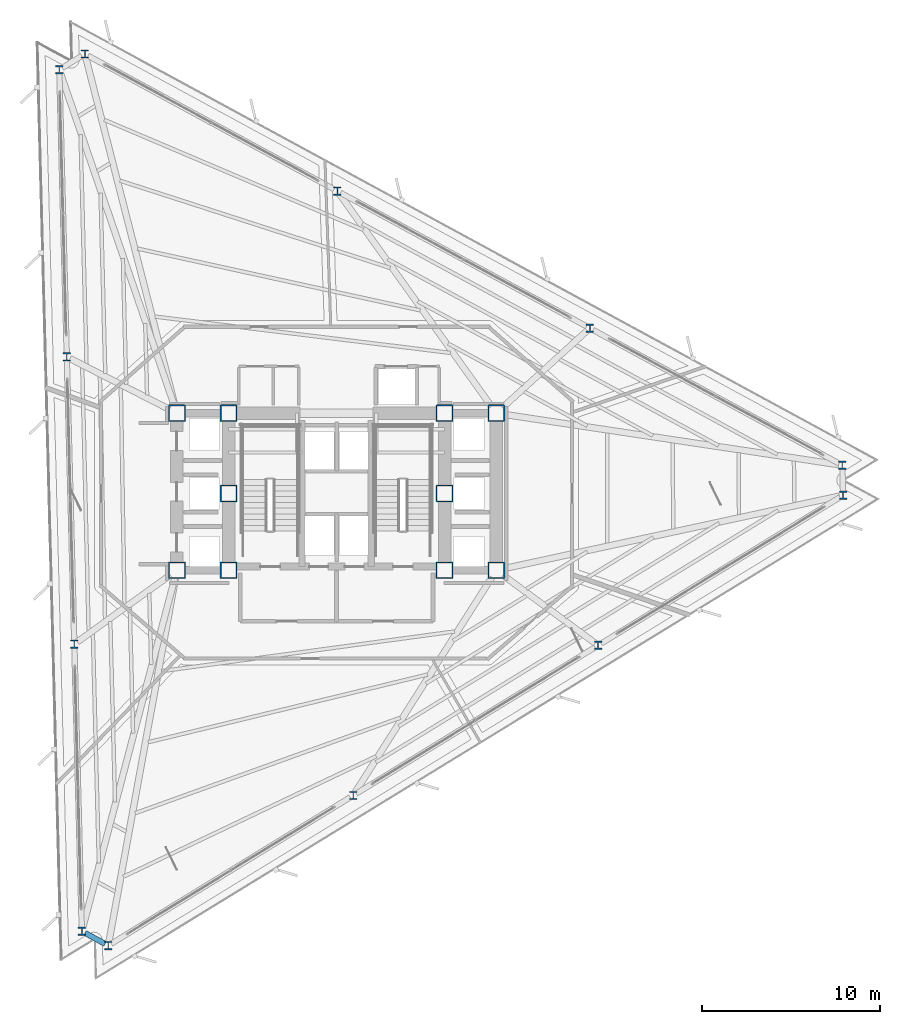
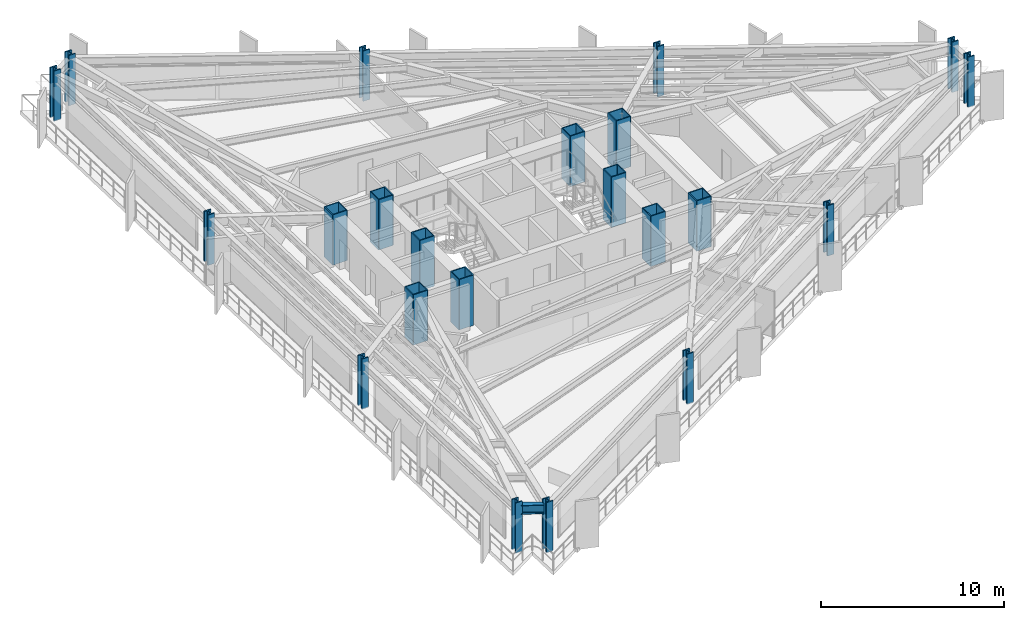
# One storey, part 1 of 14: 22 columns, 1 beam.
"""IFC4 building model written with IfcOpenShell, lengths in metres."""

import ifcopenshell
import ifcopenshell.guid

model = None  # the IFC model being written
_history = None  # IfcOwnerHistory: only IFC2X3 demands one
_inside = {}  # id of a spatial element -> (the spatial element, [elements in it])
_under = {}  # id of a project, library or spatial element -> (it, [spatial elements below it])
_declared = {}  # id of a project -> (the project, [libraries it declares])
_typed = {}  # id of a type object -> (the type object, [elements of that type])
_made_of = {}  # id of a material, layer set ... -> (it, [elements and type objects made of it])


def new_model(schema):
    """Start an empty IFC model of exactly this schema.

    Asked for "IFC4X3", IfcOpenShell would pick the latest addendum, in which some entities
    have other attributes; the version numbers below select the first issue.
    IFC2X3 requires an IfcOwnerHistory on every rooted entity: one is made here for all.
    """
    global model, _history
    if schema == "IFC4X3":
        model = ifcopenshell.file(schema_version=(4, 3, 0, 0))
    else:
        model = ifcopenshell.file(schema=schema)
    _inside.clear()
    _under.clear()
    _declared.clear()
    _typed.clear()
    _made_of.clear()
    _history = None
    if model.schema == "IFC2X3":
        org = make("IfcOrganization", Name="unknown")
        user = make(
            "IfcPersonAndOrganization",
            ThePerson=make("IfcPerson", FamilyName="unknown"),
            TheOrganization=org,
        )
        app = make(
            "IfcApplication",
            ApplicationDeveloper=org,
            Version="unknown",
            ApplicationFullName="unknown",
            ApplicationIdentifier="unknown",
        )
        _history = make(
            "IfcOwnerHistory",
            OwningUser=user,
            OwningApplication=app,
            ChangeAction="ADDED",
            CreationDate=0,
        )
    return model


def make(cls, **values):
    """One entity of the class cls with the attributes given. An attribute that is None is left unset."""
    return model.create_entity(
        cls, **{name: value for name, value in values.items() if value is not None}
    )


def rooted(cls, **values):
    """An entity with a GlobalId (a new one), such as an element, a storey or a relation."""
    return make(cls, GlobalId=ifcopenshell.guid.new(), OwnerHistory=_history, **values)


def si_unit(unit_type, name, prefix=None):
    """IfcSIUnit, for example si_unit("LENGTHUNIT", "METRE", prefix="MILLI")."""
    return make("IfcSIUnit", UnitType=unit_type, Prefix=prefix, Name=name)


def assignment(units):
    """IfcUnitAssignment: the units of a project."""
    return None if units is None else make("IfcUnitAssignment", Units=units)


def point(xyz):
    """IfcCartesianPoint."""
    return None if xyz is None else make("IfcCartesianPoint", Coordinates=xyz)


def direction(xyz):
    """IfcDirection."""
    return None if xyz is None else make("IfcDirection", DirectionRatios=xyz)


def frame(location, z_axis=None, x_axis=None):
    """IfcAxis2Placement3D, a coordinate frame: its origin and axes. An axis left out is left unset."""
    return make(
        "IfcAxis2Placement3D",
        Location=point(location),
        Axis=direction(z_axis),
        RefDirection=direction(x_axis),
    )


def frame_2d(location, x_axis=None):
    """IfcAxis2Placement2D, a coordinate frame in the plane: its origin and x axis."""
    return make(
        "IfcAxis2Placement2D", Location=point(location), RefDirection=direction(x_axis)
    )


def origin():
    """The frame at (0, 0, 0) with its axes left unset."""
    return frame((0.0, 0.0, 0.0))


def origin_2d():
    """The frame at (0, 0) in the plane with its x axis left unset."""
    return frame_2d((0.0, 0.0))


def place(relative_to, where):
    """IfcLocalPlacement: puts the frame where relative to a parent placement (None: the world)."""
    return make(
        "IfcLocalPlacement", PlacementRelTo=relative_to, RelativePlacement=where
    )


def context(
    kind, dimensions, precision=None, world=None, true_north=None, identifier=None
):
    """IfcGeometricRepresentationContext, for example the 3D "Model" context."""
    return make(
        "IfcGeometricRepresentationContext",
        ContextIdentifier=identifier,
        ContextType=kind,
        CoordinateSpaceDimension=dimensions,
        Precision=precision,
        WorldCoordinateSystem=world,
        TrueNorth=true_north,
    )


def subcontext(parent, identifier, kind, view, scale=None):
    """IfcGeometricRepresentationSubContext, for example "Body" below "Model"."""
    return make(
        "IfcGeometricRepresentationSubContext",
        ContextIdentifier=identifier,
        ContextType=kind,
        ParentContext=parent,
        TargetScale=scale,
        TargetView=view,
    )


def project(units=None, contexts=None):
    """IfcProject with its units and contexts."""
    return rooted(
        "IfcProject",
        Name="project",
        RepresentationContexts=contexts,
        UnitsInContext=assignment(units),
    )


def spatial(cls, under=None, at=None, **own):
    """A site, building, storey or space (cls), placed at a placement, below another one or the project."""
    s = rooted(cls, ObjectPlacement=at, **own)
    if under is not None:
        _under.setdefault(under.id(), (under, []))[1].append(s)
    return s


def profile(cls, at=None, kind="AREA", **sizes):
    """A parametric profile (cls). Its sizes go by their IFC names, for example OverallWidth=200.0."""
    return make(cls, ProfileType=kind, Position=at, **sizes)


def hollow_rectangle(**sizes):
    """IfcRectangleHollowProfileDef."""
    return profile("IfcRectangleHollowProfileDef", **sizes)


def i_section(**sizes):
    """IfcIShapeProfileDef."""
    return profile("IfcIShapeProfileDef", **sizes)


def extrude(swept, where, along, depth):
    """IfcExtrudedAreaSolid: the profile swept, set in the frame where, extruded along a direction by depth."""
    return make(
        "IfcExtrudedAreaSolid",
        SweptArea=swept,
        Position=where,
        ExtrudedDirection=direction(along),
        Depth=depth,
    )


def shape(context_of_items, identifier, shape_type, items):
    """IfcShapeRepresentation: the items that make up one representation, for example the "Body"."""
    return make(
        "IfcShapeRepresentation",
        ContextOfItems=context_of_items,
        RepresentationIdentifier=identifier,
        RepresentationType=shape_type,
        Items=items,
    )


def material(Name=None, Category=None):
    """IfcMaterial."""
    return make("IfcMaterial", Name=Name, Category=Category)


def material_profile(
    of_material, cross_section, Name=None, Category=None, Priority=None
):
    """IfcMaterialProfile: a cross section and its material."""
    return make(
        "IfcMaterialProfile",
        Name=Name,
        Material=of_material,
        Profile=cross_section,
        Priority=Priority,
        Category=Category,
    )


def profile_set(profiles, Name=None, composite=None):
    """IfcMaterialProfileSet."""
    return make(
        "IfcMaterialProfileSet",
        Name=Name,
        MaterialProfiles=profiles,
        CompositeProfile=composite,
    )


def made_of(thing, what):
    """Note that an element or type object is made of a material, layer set ...; save() writes the relation."""
    if what is not None:
        _made_of.setdefault(what.id(), (what, []))[1].append(thing)
    return thing


def type_object(cls, material=None, **own):
    """A type object (cls), such as IfcWallType, which elements share."""
    return made_of(rooted(cls, **own), material)


def element(
    cls,
    number,
    at=None,
    inside=None,
    cuts=None,
    type_object=None,
    material=None,
    context=None,
    identifier="Body",
    shape_type=None,
    held_by="IfcProductDefinitionShape",
    body=None,
    shapes=None,
    **own,
):
    """One element of the class cls, such as IfcWall. Its Tag is "e" and its number.

    at: its placement. inside: the storey or other place that contains it. cuts: it is an
    opening in that element (IfcRelVoidsElement). A single representation is given by context,
    identifier, shape_type and body (its items); several are given by shapes. held_by: the class
    of the entity that holds the representations. save() writes the other relations.
    """
    e = rooted(cls, Tag="e%d" % number, ObjectPlacement=at, **own)
    if body is not None:
        shapes = [shape(context, identifier, shape_type, body)]
    if shapes is not None:
        e.Representation = make(held_by, Representations=shapes)
    if inside is not None:
        _inside.setdefault(inside.id(), (inside, []))[1].append(e)
    if cuts is not None:
        rooted(
            "IfcRelVoidsElement", RelatingBuildingElement=cuts, RelatedOpeningElement=e
        )
    if type_object is not None:
        _typed.setdefault(type_object.id(), (type_object, []))[1].append(e)
    return made_of(e, material)


def aggregate(whole, parts):
    """IfcRelAggregates: a whole, such as a stair, and the parts it consists of."""
    return rooted("IfcRelAggregates", RelatingObject=whole, RelatedObjects=parts)


def save(model, path):
    """Write the relations noted so far, then the file.

    IfcRelAggregates (storeys below a building ...), IfcRelContainedInSpatialStructure (elements
    in a storey), IfcRelDefinesByType, IfcRelAssociatesMaterial and IfcRelDeclares: one each for
    every whole, place, type object, material and project.
    """
    for whole, parts in _under.values():
        aggregate(whole, parts)
    for where, things in _inside.values():
        rooted(
            "IfcRelContainedInSpatialStructure",
            RelatedElements=things,
            RelatingStructure=where,
        )
    for kind, things in _typed.values():
        rooted("IfcRelDefinesByType", RelatedObjects=things, RelatingType=kind)
    for what, things in _made_of.values():
        rooted("IfcRelAssociatesMaterial", RelatedObjects=things, RelatingMaterial=what)
    for by, libraries in _declared.values():
        rooted("IfcRelDeclares", RelatingContext=by, RelatedDefinitions=libraries)
    model.write(path)


model = new_model("IFC4")

# Units and contexts
model_context = context("Model", 3, precision=1e-05, world=origin(), true_north=direction((0.0, 1.0)))
body_context = subcontext(model_context, "Body", "Model", "MODEL_VIEW")
ifc_project = project(units=[si_unit("LENGTHUNIT", "METRE"), si_unit("AREAUNIT", "SQUARE_METRE"), si_unit("VOLUMEUNIT", "CUBIC_METRE"), si_unit("PLANEANGLEUNIT", "RADIAN"), si_unit("MASSUNIT", "GRAM", prefix="KILO")], contexts=[model_context])

# Site, building, storey
site_placement = place(None, origin())
site = spatial("IfcSite", under=ifc_project, at=site_placement, CompositionType="ELEMENT")
building_placement = place(site_placement, origin())
building = spatial("IfcBuilding", under=site, at=building_placement, Name="Rocaltana Carrier Exchange", CompositionType="ELEMENT")
storey_placement = place(building_placement, frame((0.0, 0.0, 39.0400390625)))
storey = spatial("IfcBuildingStorey", under=building, at=storey_placement, Name="L12", CompositionType="ELEMENT", Elevation=39.0400390625)

# Columns
ifc_material_1 = material(Name="Steel S460", Category="steel")
ifc_material_profile_1 = material_profile(ifc_material_1, hollow_rectangle(XDim=0.949951171875, YDim=0.949951171875, WallThickness=0.06005859375, InnerFilletRadius=0.02001953125, OuterFilletRadius=0.0400390625, at=origin_2d()), Name="BOX950X950X60")
ifc_profile_set_1 = profile_set([ifc_material_profile_1], Name="Steel S460")
column_type_1 = type_object("IfcColumnType", Name="Core Mega-Column BOX950", PredefinedType="COLUMN", material=ifc_profile_set_1)
for number, where, z_axis, x_axis, name in (
    (1, (-6.050048828125, 4.5, 0.0), (0.0, 0.0, 1.0), (1.0, 0.0, 0.0), "L12 Core Mega-Column MC1"),
    (2, (6.050048828125, 4.5, 0.0), (0.0, 0.0, 1.0), (1.0, 0.0, 0.0), "L12 Core Mega-Column MC2"),
    (3, (-6.050048828125, 0.0, 0.0), (0.0, 0.0, 1.0), (1.0, 0.0, 0.0), "L12 Core Mega-Column MC3"),
    (4, (6.050048828125, 0.0, 0.0), (0.0, 0.0, 1.0), (1.0, 0.0, 0.0), "L12 Core Mega-Column MC4"),
    (5, (-6.050048828125, -4.300048828125, 0.0), (0.0, 0.0, 1.0), (1.0, 0.0, 0.0), "L12 Core Mega-Column MC5"),
    (6, (6.050048828125, -4.300048828125, 0.0), (0.0, 0.0, 1.0), (1.0, 0.0, 0.0), "L12 Core Mega-Column MC6"),
    (7, (-8.949951171875, 4.5, 0.0), (0.0, 0.0, 1.0), (1.0, 0.0, 0.0), "L12 West Core Column WC1"),
    (8, (-8.949951171875, -4.300048828125, 0.0), (0.0, 0.0, 1.0), (1.0, 0.0, 0.0), "L12 West Core Column WC2"),
    (9, (8.949951171875, 4.5, 0.0), (0.0, 0.0, 1.0), (1.0, 0.0, 0.0), "L12 East Core Column EC1"),
    (10, (8.949951171875, -4.300048828125, 0.0), (0.0, 0.0, 1.0), (1.0, 0.0, 0.0), "L12 East Core Column EC2"),
):
    element("IfcColumn", number, at=place(storey_placement, frame(where, z_axis=z_axis, x_axis=x_axis)), inside=storey, type_object=column_type_1, Name=name, PredefinedType="COLUMN", context=body_context, shape_type="SweptSolid", body=[
        extrude(hollow_rectangle(XDim=0.949951171875, YDim=0.949951171875, WallThickness=0.06005859375, InnerFilletRadius=0.02001953125, OuterFilletRadius=0.0400390625, at=origin_2d()), origin(), (0.0, 0.0, 1.0), 3.35986328125),
    ])
ifc_material_2 = material(Name="Steel S460", Category="steel")
ifc_material_profile_2 = material_profile(ifc_material_2, i_section(OverallWidth=0.424072265625, OverallDepth=0.47412109375, WebThickness=0.047607421875, FlangeThickness=0.0771484375, FilletRadius=0.02490234375, at=origin_2d()), Name="W14X426")
ifc_profile_set_2 = profile_set([ifc_material_profile_2], Name="Steel S460")
column_type_2 = type_object("IfcColumnType", Name="Perimeter Column W14X426", PredefinedType="COLUMN", material=ifc_profile_set_2)
for number, where, z_axis, x_axis, name in (
    (11, (28.340576171875, 1.5849609375, 0.0), (0.0, 0.0, 1.0), (1.0, 0.0, 0.0), "L12 Perimeter Column TC01"),
    (12, (14.191650390625, 9.26708984375, 0.0), (0.0, 0.0, 1.0), (1.0, 0.0, 0.0), "L12 Perimeter Column TC02"),
    (13, (0.042724609375, 16.949462890625, 0.0), (0.0, 0.0, 1.0), (1.0, 0.0, 0.0), "L12 Perimeter Column TC03"),
    (14, (-14.106201171875, 24.631591796875, 0.0), (0.0, 0.0, 1.0), (1.0, 0.0, 0.0), "L12 Perimeter Column TC04"),
    (15, (-15.54296875, 23.751220703125, 0.0), (0.0, 0.0, 1.0), (1.0, 0.0, 0.0), "L12 Perimeter Column TC05"),
    (16, (-15.121337890625, 7.65673828125, 0.0), (0.0, 0.0, 1.0), (1.0, 0.0, 0.0), "L12 Perimeter Column TC06"),
    (17, (-14.699951171875, -8.437744140625, 0.0), (0.0, 0.0, 1.0), (1.0, 0.0, 0.0), "L12 Perimeter Column TC07"),
    (18, (-14.278564453125, -24.5322265625, 0.0), (0.0, 0.0, 1.0), (1.0, 0.0, 0.0), "L12 Perimeter Column TC08"),
    (19, (-12.7978515625, -25.336181640625, 0.0), (0.0, 0.0, 1.0), (1.0, 0.0, 0.0), "L12 Perimeter Column TC09"),
    (20, (0.9296875, -16.923828125, 0.0), (0.0, 0.0, 1.0), (1.0, 0.0, 0.0), "L12 Perimeter Column TC10"),
    (21, (14.6572265625, -8.51171875, 0.0), (0.0, 0.0, 1.0), (1.0, 0.0, 0.0), "L12 Perimeter Column TC11"),
    (22, (28.384765625, -0.099609375, 0.0), (0.0, 0.0, 1.0), (1.0, 0.0, 0.0), "L12 Perimeter Column TC12"),
):
    element("IfcColumn", number, at=place(storey_placement, frame(where, z_axis=z_axis, x_axis=x_axis)), inside=storey, type_object=column_type_2, Name=name, PredefinedType="COLUMN", context=body_context, shape_type="SweptSolid", body=[
        extrude(i_section(OverallWidth=0.424072265625, OverallDepth=0.47412109375, WebThickness=0.047607421875, FlangeThickness=0.0771484375, FilletRadius=0.02490234375, at=origin_2d()), origin(), (0.0, 0.0, 1.0), 3.35986328125),
    ])

# Beam
ifc_material_3 = material(Name="Steel S355", Category="steel")
ifc_material_profile_3 = material_profile(ifc_material_3, i_section(OverallWidth=0.300048828125, OverallDepth=0.60009765625, WebThickness=0.015380859375, FlangeThickness=0.030029296875, FilletRadius=0.027099609375, at=origin_2d()), Name="HEB600")
ifc_profile_set_3 = profile_set([ifc_material_profile_3], Name="Steel S355")
beam_type = type_object("IfcBeamType", Name="Spandrel Edge Beam HEB600", PredefinedType="SPANDREL", material=ifc_profile_set_3)
beam_placement = place(storey_placement, frame((-14.09912109375, -24.62939453125, 2.7978515625), z_axis=(0.878690764039, -0.477391392038, 0.0), x_axis=(0.477391392038, 0.878690764039, 0.0)))
element("IfcBeam", 23, at=beam_placement, inside=storey, type_object=beam_type, Name="SP-L12-08", PredefinedType="SPANDREL", context=body_context, shape_type="SweptSolid", body=[
    extrude(i_section(OverallWidth=0.300048828125, OverallDepth=0.60009765625, WebThickness=0.015380859375, FlangeThickness=0.030029296875, FilletRadius=0.027099609375, at=origin_2d()), origin(), (0.0, 0.0, 1.0), 1.277099609375),
])

save(model, "model.ifc")
